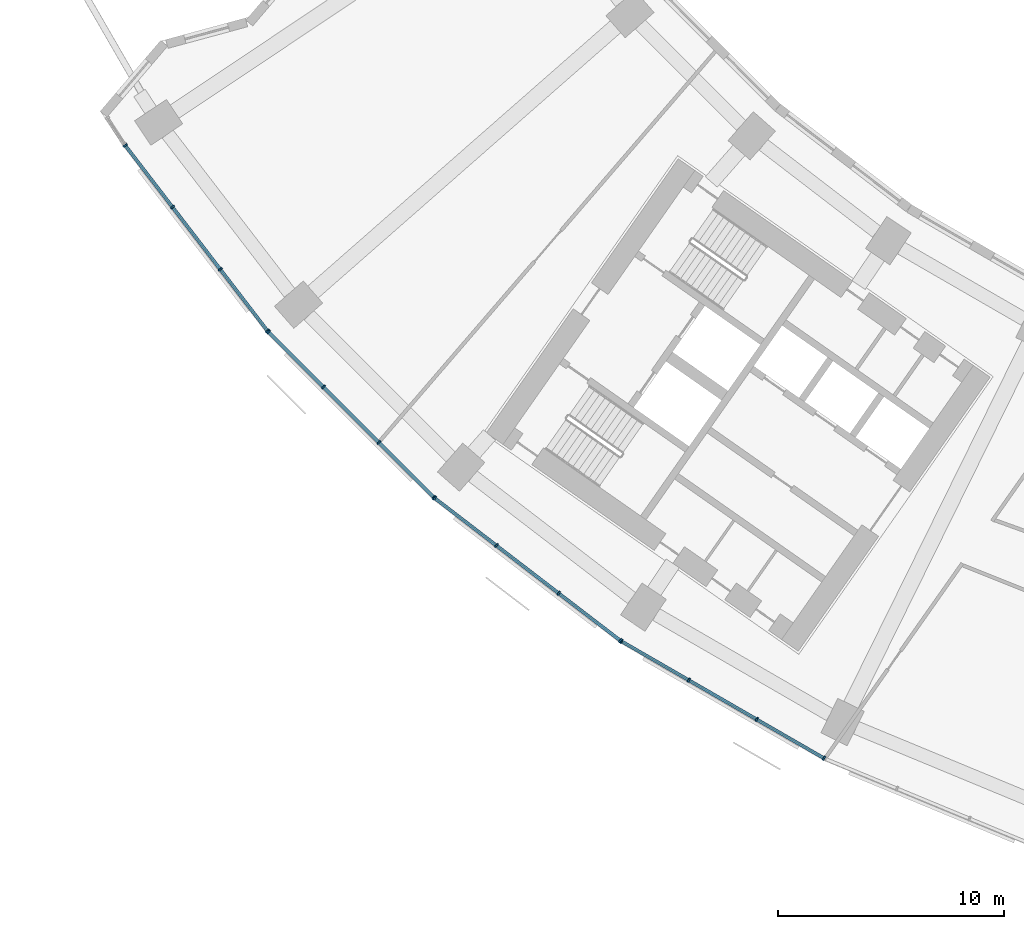
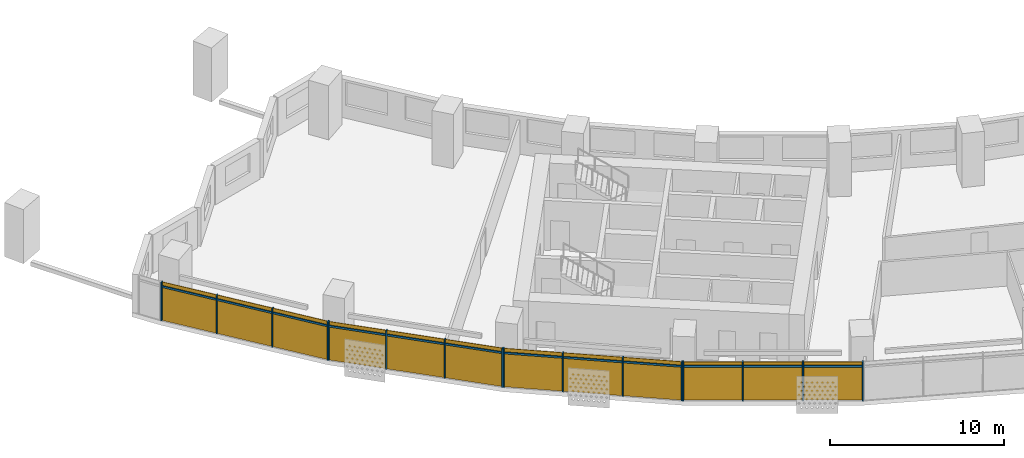
# One storey, part 18 of 29: 28 members, 4 curtain walls.
"""IFC4 building model written with IfcOpenShell, lengths in metres."""

from ifc_helpers import new_model, si_unit, direction, frame, origin, origin_2d, place, context, subcontext, project, spatial, rectangle, extrude, material, material_profile, profile_set, type_object, element, aggregate, save


model = new_model("IFC4")

# Units and contexts
model_context = context("Model", 3, precision=1e-05, world=origin(), true_north=direction((0.0, 1.0)))
body_context = subcontext(model_context, "Body", "Model", "MODEL_VIEW")
ifc_project = project(units=[si_unit("LENGTHUNIT", "METRE"), si_unit("AREAUNIT", "SQUARE_METRE"), si_unit("VOLUMEUNIT", "CUBIC_METRE"), si_unit("PLANEANGLEUNIT", "RADIAN"), si_unit("MASSUNIT", "GRAM", prefix="KILO")], contexts=[model_context])

# Member
ifc_material = material(Name="Aluminium 6063-T6 anodised", Category="aluminium")
ifc_material_profile_1 = material_profile(ifc_material, rectangle(XDim=0.199951171875, YDim=0.070068359375, at=origin_2d()))
ifc_profile_set_1 = profile_set([ifc_material_profile_1], Name="Aluminium 6063-T6 anodised")
member_type_1 = type_object("IfcMemberType", Name="Mullion 70 x 200 aluminium", PredefinedType="MULLION", material=ifc_profile_set_1)
site_placement = place(None, origin())
building_placement = place(site_placement, origin())
storey_placement = place(building_placement, frame((0.0, 0.0, 44.300048828125)))
member_1_placement = place(storey_placement, frame((-66.1259765625, -44.218017578125, 0.0), z_axis=(0.0, 0.0, 1.0), x_axis=(0.793353340291, 0.608761429009, 0.0)))
member_1 = element("IfcMember", 1, at=member_1_placement, type_object=member_type_1, Name="e-cw1-L07-out01/M00", PredefinedType="MULLION", context=body_context, shape_type="SweptSolid", body=[
    extrude(rectangle(XDim=0.199951171875, YDim=0.070068359375, at=origin_2d()), origin(), (0.0, 0.0, 1.0), 2.699951171875),
])

member_2_placement = place(storey_placement, frame((-64.032958984375, -46.945556640625, 0.0), z_axis=(0.0, 0.0, 1.0), x_axis=(0.793353340291, 0.608761429009, 0.0)))
member_2 = element("IfcMember", 2, at=member_2_placement, type_object=member_type_1, Name="e-cw1-L07-out01/M01", PredefinedType="MULLION", context=body_context, shape_type="SweptSolid", body=[
    extrude(rectangle(XDim=0.199951171875, YDim=0.070068359375, at=origin_2d()), origin(), (0.0, 0.0, 1.0), 2.699951171875),
])

member_3_placement = place(storey_placement, frame((-61.9189453125, -49.70068359375, 0.0), z_axis=(0.0, 0.0, 1.0), x_axis=(0.793353340291, 0.608761429009, 0.0)))
member_3 = element("IfcMember", 3, at=member_3_placement, type_object=member_type_1, Name="e-cw1-L07-out01/M02", PredefinedType="MULLION", context=body_context, shape_type="SweptSolid", body=[
    extrude(rectangle(XDim=0.199951171875, YDim=0.070068359375, at=origin_2d()), origin(), (0.0, 0.0, 1.0), 2.699951171875),
])

member_4_placement = place(storey_placement, frame((-59.825927734375, -52.42822265625, 0.0), z_axis=(0.0, 0.0, 1.0), x_axis=(0.793353340291, 0.608761429009, 0.0)))
member_4 = element("IfcMember", 4, at=member_4_placement, type_object=member_type_1, Name="e-cw1-L07-out01/M03", PredefinedType="MULLION", context=body_context, shape_type="SweptSolid", body=[
    extrude(rectangle(XDim=0.199951171875, YDim=0.070068359375, at=origin_2d()), origin(), (0.0, 0.0, 1.0), 2.699951171875),
])

member_5_placement = place(storey_placement, frame((-59.78857421875, -52.470947265625, 0.0), z_axis=(0.0, 0.0, 1.0), x_axis=(0.707106781187, 0.707106781187, 0.0)))
member_5 = element("IfcMember", 5, at=member_5_placement, type_object=member_type_1, Name="e-cw1-L07-out02/M00", PredefinedType="MULLION", context=body_context, shape_type="SweptSolid", body=[
    extrude(rectangle(XDim=0.199951171875, YDim=0.070068359375, at=origin_2d()), origin(), (0.0, 0.0, 1.0), 2.699951171875),
])

member_6_placement = place(storey_placement, frame((-57.357666015625, -54.90185546875, 0.0), z_axis=(0.0, 0.0, 1.0), x_axis=(0.707106781187, 0.707106781187, 0.0)))
member_6 = element("IfcMember", 6, at=member_6_placement, type_object=member_type_1, Name="e-cw1-L07-out02/M01", PredefinedType="MULLION", context=body_context, shape_type="SweptSolid", body=[
    extrude(rectangle(XDim=0.199951171875, YDim=0.070068359375, at=origin_2d()), origin(), (0.0, 0.0, 1.0), 2.699951171875),
])

member_7_placement = place(storey_placement, frame((-54.90185546875, -57.357666015625, 0.0), z_axis=(0.0, 0.0, 1.0), x_axis=(0.707106781187, 0.707106781187, 0.0)))
member_7 = element("IfcMember", 7, at=member_7_placement, type_object=member_type_1, Name="e-cw1-L07-out02/M02", PredefinedType="MULLION", context=body_context, shape_type="SweptSolid", body=[
    extrude(rectangle(XDim=0.199951171875, YDim=0.070068359375, at=origin_2d()), origin(), (0.0, 0.0, 1.0), 2.699951171875),
])

member_8_placement = place(storey_placement, frame((-52.470947265625, -59.78857421875, 0.0), z_axis=(0.0, 0.0, 1.0), x_axis=(0.707106781187, 0.707106781187, 0.0)))
member_8 = element("IfcMember", 8, at=member_8_placement, type_object=member_type_1, Name="e-cw1-L07-out02/M03", PredefinedType="MULLION", context=body_context, shape_type="SweptSolid", body=[
    extrude(rectangle(XDim=0.199951171875, YDim=0.070068359375, at=origin_2d()), origin(), (0.0, 0.0, 1.0), 2.699951171875),
])

member_9_placement = place(storey_placement, frame((-52.42822265625, -59.825927734375, 0.0), z_axis=(0.0, 0.0, 1.0), x_axis=(0.608761429009, 0.793353340291, 0.0)))
member_9 = element("IfcMember", 9, at=member_9_placement, type_object=member_type_1, Name="e-cw1-L07-out03/M00", PredefinedType="MULLION", context=body_context, shape_type="SweptSolid", body=[
    extrude(rectangle(XDim=0.199951171875, YDim=0.070068359375, at=origin_2d()), origin(), (0.0, 0.0, 1.0), 2.699951171875),
])

member_10_placement = place(storey_placement, frame((-49.70068359375, -61.9189453125, 0.0), z_axis=(0.0, 0.0, 1.0), x_axis=(0.608761429009, 0.793353340291, 0.0)))
member_10 = element("IfcMember", 10, at=member_10_placement, type_object=member_type_1, Name="e-cw1-L07-out03/M01", PredefinedType="MULLION", context=body_context, shape_type="SweptSolid", body=[
    extrude(rectangle(XDim=0.199951171875, YDim=0.070068359375, at=origin_2d()), origin(), (0.0, 0.0, 1.0), 2.699951171875),
])

member_11_placement = place(storey_placement, frame((-46.945556640625, -64.032958984375, 0.0), z_axis=(0.0, 0.0, 1.0), x_axis=(0.608761429009, 0.793353340291, 0.0)))
member_11 = element("IfcMember", 11, at=member_11_placement, type_object=member_type_1, Name="e-cw1-L07-out03/M02", PredefinedType="MULLION", context=body_context, shape_type="SweptSolid", body=[
    extrude(rectangle(XDim=0.199951171875, YDim=0.070068359375, at=origin_2d()), origin(), (0.0, 0.0, 1.0), 2.699951171875),
])

member_12_placement = place(storey_placement, frame((-44.218017578125, -66.1259765625, 0.0), z_axis=(0.0, 0.0, 1.0), x_axis=(0.608761429009, 0.793353340291, 0.0)))
member_12 = element("IfcMember", 12, at=member_12_placement, type_object=member_type_1, Name="e-cw1-L07-out03/M03", PredefinedType="MULLION", context=body_context, shape_type="SweptSolid", body=[
    extrude(rectangle(XDim=0.199951171875, YDim=0.070068359375, at=origin_2d()), origin(), (0.0, 0.0, 1.0), 2.699951171875),
])

member_13_placement = place(storey_placement, frame((-44.1708984375, -66.157470703125, 0.0), z_axis=(0.0, 0.0, 1.0), x_axis=(0.5, 0.866025403784, 0.0)))
member_13 = element("IfcMember", 13, at=member_13_placement, type_object=member_type_1, Name="e-cw1-L07-out04/M00", PredefinedType="MULLION", context=body_context, shape_type="SweptSolid", body=[
    extrude(rectangle(XDim=0.199951171875, YDim=0.070068359375, at=origin_2d()), origin(), (0.0, 0.0, 1.0), 2.699951171875),
])

member_14_placement = place(storey_placement, frame((-41.193603515625, -67.87646484375, 0.0), z_axis=(0.0, 0.0, 1.0), x_axis=(0.5, 0.866025403784, 0.0)))
member_14 = element("IfcMember", 14, at=member_14_placement, type_object=member_type_1, Name="e-cw1-L07-out04/M01", PredefinedType="MULLION", context=body_context, shape_type="SweptSolid", body=[
    extrude(rectangle(XDim=0.199951171875, YDim=0.070068359375, at=origin_2d()), origin(), (0.0, 0.0, 1.0), 2.699951171875),
])

member_15_placement = place(storey_placement, frame((-38.18603515625, -69.61279296875, 0.0), z_axis=(0.0, 0.0, 1.0), x_axis=(0.5, 0.866025403784, 0.0)))
member_15 = element("IfcMember", 15, at=member_15_placement, type_object=member_type_1, Name="e-cw1-L07-out04/M02", PredefinedType="MULLION", context=body_context, shape_type="SweptSolid", body=[
    extrude(rectangle(XDim=0.199951171875, YDim=0.070068359375, at=origin_2d()), origin(), (0.0, 0.0, 1.0), 2.699951171875),
])

member_16_placement = place(storey_placement, frame((-35.20849609375, -71.331787109375, 0.0), z_axis=(0.0, 0.0, 1.0), x_axis=(0.5, 0.866025403784, 0.0)))
member_16 = element("IfcMember", 16, at=member_16_placement, type_object=member_type_1, Name="e-cw1-L07-out04/M03", PredefinedType="MULLION", context=body_context, shape_type="SweptSolid", body=[
    extrude(rectangle(XDim=0.199951171875, YDim=0.070068359375, at=origin_2d()), origin(), (0.0, 0.0, 1.0), 2.699951171875),
])

ifc_material_profile_2 = material_profile(ifc_material, rectangle(XDim=0.139892578125, YDim=0.1201171875, at=origin_2d()))
ifc_profile_set_2 = profile_set([ifc_material_profile_2], Name="Aluminium 6063-T6 anodised")
member_type_2 = type_object("IfcMemberType", Name="Transom 120 x 140 aluminium", PredefinedType="USERDEFINED", material=ifc_profile_set_2)
member_17_placement = place(storey_placement, frame((-66.1044921875, -44.245849609375, 2.39990234375), z_axis=(0.608732839803, -0.793375276742, 0.0), x_axis=(0.793375276742, 0.608732839803, 0.0)))
member_17 = element("IfcMember", 17, at=member_17_placement, type_object=member_type_2, Name="e-cw1-L07-out01/T00", ObjectType="TRANSOM", PredefinedType="USERDEFINED", context=body_context, shape_type="SweptSolid", body=[
    extrude(rectangle(XDim=0.139892578125, YDim=0.1201171875, at=origin_2d()), origin(), (0.0, 0.0, 1.0), 3.36767578125),
])

member_18_placement = place(storey_placement, frame((-64.01171875, -46.973388671875, 2.39990234375), z_axis=(0.60875683052, -0.793356868815, 0.0), x_axis=(0.793356868815, 0.60875683052, 0.0)))
member_18 = element("IfcMember", 18, at=member_18_placement, type_object=member_type_2, Name="e-cw1-L07-out01/T01", ObjectType="TRANSOM", PredefinedType="USERDEFINED", context=body_context, shape_type="SweptSolid", body=[
    extrude(rectangle(XDim=0.139892578125, YDim=0.1201171875, at=origin_2d()), origin(), (0.0, 0.0, 1.0), 3.40283203125),
])

member_19_placement = place(storey_placement, frame((-61.8974609375, -49.728515625, 2.39990234375), z_axis=(0.608732839803, -0.793375276742, 0.0), x_axis=(0.793375276742, 0.608732839803, 0.0)))
member_19 = element("IfcMember", 19, at=member_19_placement, type_object=member_type_2, Name="e-cw1-L07-out01/T02", ObjectType="TRANSOM", PredefinedType="USERDEFINED", context=body_context, shape_type="SweptSolid", body=[
    extrude(rectangle(XDim=0.139892578125, YDim=0.1201171875, at=origin_2d()), origin(), (0.0, 0.0, 1.0), 3.36767578125),
])

member_20_placement = place(storey_placement, frame((-59.763916015625, -52.49560546875, 2.39990234375), z_axis=(0.707106781187, -0.707106781187, 0.0), x_axis=(0.707106781187, 0.707106781187, 0.0)))
member_20 = element("IfcMember", 20, at=member_20_placement, type_object=member_type_2, Name="e-cw1-L07-out02/T00", ObjectType="TRANSOM", PredefinedType="USERDEFINED", context=body_context, shape_type="SweptSolid", body=[
    extrude(rectangle(XDim=0.139892578125, YDim=0.1201171875, at=origin_2d()), origin(), (0.0, 0.0, 1.0), 3.3681640625),
])

member_21_placement = place(storey_placement, frame((-57.332763671875, -54.9267578125, 2.39990234375), z_axis=(0.707106781187, -0.707106781187, 0.0), x_axis=(0.707106781187, 0.707106781187, 0.0)))
member_21 = element("IfcMember", 21, at=member_21_placement, type_object=member_type_2, Name="e-cw1-L07-out02/T01", ObjectType="TRANSOM", PredefinedType="USERDEFINED", context=body_context, shape_type="SweptSolid", body=[
    extrude(rectangle(XDim=0.139892578125, YDim=0.1201171875, at=origin_2d()), origin(), (0.0, 0.0, 1.0), 3.402587890625),
])

member_22_placement = place(storey_placement, frame((-54.877197265625, -57.38232421875, 2.39990234375), z_axis=(0.707106781187, -0.707106781187, 0.0), x_axis=(0.707106781187, 0.707106781187, 0.0)))
member_22 = element("IfcMember", 22, at=member_22_placement, type_object=member_type_2, Name="e-cw1-L07-out02/T02", ObjectType="TRANSOM", PredefinedType="USERDEFINED", context=body_context, shape_type="SweptSolid", body=[
    extrude(rectangle(XDim=0.139892578125, YDim=0.1201171875, at=origin_2d()), origin(), (0.0, 0.0, 1.0), 3.3681640625),
])

member_23_placement = place(storey_placement, frame((-52.400390625, -59.847412109375, 2.39990234375), z_axis=(0.793375276742, -0.608732839803, 0.0), x_axis=(0.608732839803, 0.793375276742, 0.0)))
member_23 = element("IfcMember", 23, at=member_23_placement, type_object=member_type_2, Name="e-cw1-L07-out03/T00", ObjectType="TRANSOM", PredefinedType="USERDEFINED", context=body_context, shape_type="SweptSolid", body=[
    extrude(rectangle(XDim=0.139892578125, YDim=0.1201171875, at=origin_2d()), origin(), (0.0, 0.0, 1.0), 3.36767578125),
])

member_24_placement = place(storey_placement, frame((-49.673095703125, -61.940185546875, 2.39990234375), z_axis=(0.793356868815, -0.60875683052, 0.0), x_axis=(0.60875683052, 0.793356868815, 0.0)))
member_24 = element("IfcMember", 24, at=member_24_placement, type_object=member_type_2, Name="e-cw1-L07-out03/T01", ObjectType="TRANSOM", PredefinedType="USERDEFINED", context=body_context, shape_type="SweptSolid", body=[
    extrude(rectangle(XDim=0.139892578125, YDim=0.1201171875, at=origin_2d()), origin(), (0.0, 0.0, 1.0), 3.40283203125),
])

member_25_placement = place(storey_placement, frame((-46.917724609375, -64.054443359375, 2.39990234375), z_axis=(0.793375276742, -0.608732839803, 0.0), x_axis=(0.608732839803, 0.793375276742, 0.0)))
member_25 = element("IfcMember", 25, at=member_25_placement, type_object=member_type_2, Name="e-cw1-L07-out03/T02", ObjectType="TRANSOM", PredefinedType="USERDEFINED", context=body_context, shape_type="SweptSolid", body=[
    extrude(rectangle(XDim=0.139892578125, YDim=0.1201171875, at=origin_2d()), origin(), (0.0, 0.0, 1.0), 3.36767578125),
])

member_26_placement = place(storey_placement, frame((-44.140625, -66.175048828125, 2.39990234375), z_axis=(0.866044351828, -0.49996717959, 0.0), x_axis=(0.49996717959, 0.866044351828, 0.0)))
member_26 = element("IfcMember", 26, at=member_26_placement, type_object=member_type_2, Name="e-cw1-L07-out04/T00", ObjectType="TRANSOM", PredefinedType="USERDEFINED", context=body_context, shape_type="SweptSolid", body=[
    extrude(rectangle(XDim=0.139892578125, YDim=0.1201171875, at=origin_2d()), origin(), (0.0, 0.0, 1.0), 3.367919921875),
])

member_27_placement = place(storey_placement, frame((-41.163330078125, -67.893798828125, 2.39990234375), z_axis=(0.866000398227, -0.500043308395, 0.0), x_axis=(0.500043308395, 0.866000398227, 0.0)))
member_27 = element("IfcMember", 27, at=member_27_placement, type_object=member_type_2, Name="e-cw1-L07-out04/T01", ObjectType="TRANSOM", PredefinedType="USERDEFINED", context=body_context, shape_type="SweptSolid", body=[
    extrude(rectangle(XDim=0.139892578125, YDim=0.1201171875, at=origin_2d()), origin(), (0.0, 0.0, 1.0), 3.403076171875),
])

member_28_placement = place(storey_placement, frame((-38.155517578125, -69.63037109375, 2.39990234375), z_axis=(0.866026229868, -0.499998569178, 0.0), x_axis=(0.499998569178, 0.866026229868, 0.0)))
member_28 = element("IfcMember", 28, at=member_28_placement, type_object=member_type_2, Name="e-cw1-L07-out04/T02", ObjectType="TRANSOM", PredefinedType="USERDEFINED", context=body_context, shape_type="SweptSolid", body=[
    extrude(rectangle(XDim=0.139892578125, YDim=0.1201171875, at=origin_2d()), origin(), (0.0, 0.0, 1.0), 3.36767578125),
])

# Site, building, storey
site = spatial("IfcSite", under=ifc_project, at=site_placement, CompositionType="ELEMENT")
building = spatial("IfcBuilding", under=site, at=building_placement, Name="Qamariyya Broadcast Tower", CompositionType="ELEMENT")
storey = spatial("IfcBuildingStorey", under=building, at=storey_placement, Name="L07", CompositionType="ELEMENT", Elevation=44.300048828125)

# Curtain wall
curtain_wall_type = type_object("IfcCurtainWallType", Name="Unitised curtain wall, anodised aluminium", PredefinedType="NOTDEFINED", material=ifc_material)
curtain_wall_1_placement = place(storey_placement, origin())
curtain_wall_1 = element("IfcCurtainWall", 29, at=curtain_wall_1_placement, inside=storey, type_object=curtain_wall_type, Name="e-cw1-L07-out01", PredefinedType="NOTDEFINED", context=body_context, shape_type="SweptSolid", body=[
    extrude(rectangle(XDim=3.367919921875, YDim=0.031982421875, at=origin_2d()), frame((-65.07958984375, -45.581787109375, 0.0), x_axis=(0.608755679475, -0.79335775203, 0.0)), (0.0, 0.0, 1.0), 2.340087890625),
    extrude(rectangle(XDim=3.367919921875, YDim=0.031982421875, at=origin_2d()), frame((-65.07958984375, -45.581787109375, 2.4599609375), x_axis=(0.608755679475, -0.79335775203, 0.0)), (0.0, 0.0, 1.0), 0.239990234375),
    extrude(rectangle(XDim=3.40283203125, YDim=0.031982421875, at=origin_2d()), frame((-62.97607421875, -48.3232421875, 0.0), x_axis=(0.608755679475, -0.79335775203, 0.0)), (0.0, 0.0, 1.0), 2.340087890625),
    extrude(rectangle(XDim=3.40283203125, YDim=0.031982421875, at=origin_2d()), frame((-62.97607421875, -48.3232421875, 2.4599609375), x_axis=(0.608755679475, -0.79335775203, 0.0)), (0.0, 0.0, 1.0), 0.239990234375),
    extrude(rectangle(XDim=3.367919921875, YDim=0.031982421875, at=origin_2d()), frame((-60.872314453125, -51.064453125, 0.0), x_axis=(0.608755679475, -0.79335775203, 0.0)), (0.0, 0.0, 1.0), 2.340087890625),
    extrude(rectangle(XDim=3.367919921875, YDim=0.031982421875, at=origin_2d()), frame((-60.872314453125, -51.064453125, 2.4599609375), x_axis=(0.608755679475, -0.79335775203, 0.0)), (0.0, 0.0, 1.0), 0.239990234375),
])

aggregate(curtain_wall_1, [member_1, member_2, member_3, member_4, member_17, member_18, member_19])

curtain_wall_2_placement = place(storey_placement, origin())
curtain_wall_2 = element("IfcCurtainWall", 30, at=curtain_wall_2_placement, inside=storey, type_object=curtain_wall_type, Name="e-cw1-L07-out02", PredefinedType="NOTDEFINED", context=body_context, shape_type="SweptSolid", body=[
    extrude(rectangle(XDim=3.367919921875, YDim=0.031982421875, at=origin_2d()), frame((-58.572998046875, -53.6865234375, 0.0), x_axis=(0.707106781187, -0.707106781187, 0.0)), (0.0, 0.0, 1.0), 2.340087890625),
    extrude(rectangle(XDim=3.367919921875, YDim=0.031982421875, at=origin_2d()), frame((-58.572998046875, -53.6865234375, 2.4599609375), x_axis=(0.707106781187, -0.707106781187, 0.0)), (0.0, 0.0, 1.0), 0.239990234375),
    extrude(rectangle(XDim=3.40283203125, YDim=0.031982421875, at=origin_2d()), frame((-56.1298828125, -56.1298828125, 0.0), x_axis=(0.707106781187, -0.707106781187, 0.0)), (0.0, 0.0, 1.0), 2.340087890625),
    extrude(rectangle(XDim=3.40283203125, YDim=0.031982421875, at=origin_2d()), frame((-56.1298828125, -56.1298828125, 2.4599609375), x_axis=(0.707106781187, -0.707106781187, 0.0)), (0.0, 0.0, 1.0), 0.239990234375),
    extrude(rectangle(XDim=3.367919921875, YDim=0.031982421875, at=origin_2d()), frame((-53.6865234375, -58.572998046875, 0.0), x_axis=(0.707106781187, -0.707106781187, 0.0)), (0.0, 0.0, 1.0), 2.340087890625),
    extrude(rectangle(XDim=3.367919921875, YDim=0.031982421875, at=origin_2d()), frame((-53.6865234375, -58.572998046875, 2.4599609375), x_axis=(0.707106781187, -0.707106781187, 0.0)), (0.0, 0.0, 1.0), 0.239990234375),
])

aggregate(curtain_wall_2, [member_5, member_6, member_7, member_8, member_20, member_21, member_22])

curtain_wall_3_placement = place(storey_placement, origin())
curtain_wall_3 = element("IfcCurtainWall", 31, at=curtain_wall_3_placement, inside=storey, type_object=curtain_wall_type, Name="e-cw1-L07-out03", PredefinedType="NOTDEFINED", context=body_context, shape_type="SweptSolid", body=[
    extrude(rectangle(XDim=3.367919921875, YDim=0.031982421875, at=origin_2d()), frame((-51.064453125, -60.872314453125, 0.0), x_axis=(0.79335775203, -0.608755679475, 0.0)), (0.0, 0.0, 1.0), 2.340087890625),
    extrude(rectangle(XDim=3.367919921875, YDim=0.031982421875, at=origin_2d()), frame((-51.064453125, -60.872314453125, 2.4599609375), x_axis=(0.79335775203, -0.608755679475, 0.0)), (0.0, 0.0, 1.0), 0.239990234375),
    extrude(rectangle(XDim=3.40283203125, YDim=0.031982421875, at=origin_2d()), frame((-48.3232421875, -62.97607421875, 0.0), x_axis=(0.79335775203, -0.608755679475, 0.0)), (0.0, 0.0, 1.0), 2.340087890625),
    extrude(rectangle(XDim=3.40283203125, YDim=0.031982421875, at=origin_2d()), frame((-48.3232421875, -62.97607421875, 2.4599609375), x_axis=(0.79335775203, -0.608755679475, 0.0)), (0.0, 0.0, 1.0), 0.239990234375),
    extrude(rectangle(XDim=3.367919921875, YDim=0.031982421875, at=origin_2d()), frame((-45.581787109375, -65.07958984375, 0.0), x_axis=(0.79335775203, -0.608755679475, 0.0)), (0.0, 0.0, 1.0), 2.340087890625),
    extrude(rectangle(XDim=3.367919921875, YDim=0.031982421875, at=origin_2d()), frame((-45.581787109375, -65.07958984375, 2.4599609375), x_axis=(0.79335775203, -0.608755679475, 0.0)), (0.0, 0.0, 1.0), 0.239990234375),
])

aggregate(curtain_wall_3, [member_9, member_10, member_11, member_12, member_23, member_24, member_25])

curtain_wall_4_placement = place(storey_placement, origin())
curtain_wall_4 = element("IfcCurtainWall", 32, at=curtain_wall_4_placement, inside=storey, type_object=curtain_wall_type, Name="e-cw1-L07-out04", PredefinedType="NOTDEFINED", context=body_context, shape_type="SweptSolid", body=[
    extrude(rectangle(XDim=3.367919921875, YDim=0.031982421875, at=origin_2d()), frame((-42.68212890625, -67.016845703125, 0.0), x_axis=(0.86602247392, -0.500005074639, 0.0)), (0.0, 0.0, 1.0), 2.340087890625),
    extrude(rectangle(XDim=3.367919921875, YDim=0.031982421875, at=origin_2d()), frame((-42.68212890625, -67.016845703125, 2.4599609375), x_axis=(0.86602247392, -0.500005074639, 0.0)), (0.0, 0.0, 1.0), 0.239990234375),
    extrude(rectangle(XDim=3.40283203125, YDim=0.031982421875, at=origin_2d()), frame((-39.689697265625, -68.74462890625, 0.0), x_axis=(0.86602247392, -0.500005074639, 0.0)), (0.0, 0.0, 1.0), 2.340087890625),
    extrude(rectangle(XDim=3.40283203125, YDim=0.031982421875, at=origin_2d()), frame((-39.689697265625, -68.74462890625, 2.4599609375), x_axis=(0.86602247392, -0.500005074639, 0.0)), (0.0, 0.0, 1.0), 0.239990234375),
    extrude(rectangle(XDim=3.367919921875, YDim=0.031982421875, at=origin_2d()), frame((-36.697265625, -70.472412109375, 0.0), x_axis=(0.86602247392, -0.500005074639, 0.0)), (0.0, 0.0, 1.0), 2.340087890625),
    extrude(rectangle(XDim=3.367919921875, YDim=0.031982421875, at=origin_2d()), frame((-36.697265625, -70.472412109375, 2.4599609375), x_axis=(0.86602247392, -0.500005074639, 0.0)), (0.0, 0.0, 1.0), 0.239990234375),
])

aggregate(curtain_wall_4, [member_13, member_14, member_15, member_16, member_26, member_27, member_28])

save(model, "model.ifc")
